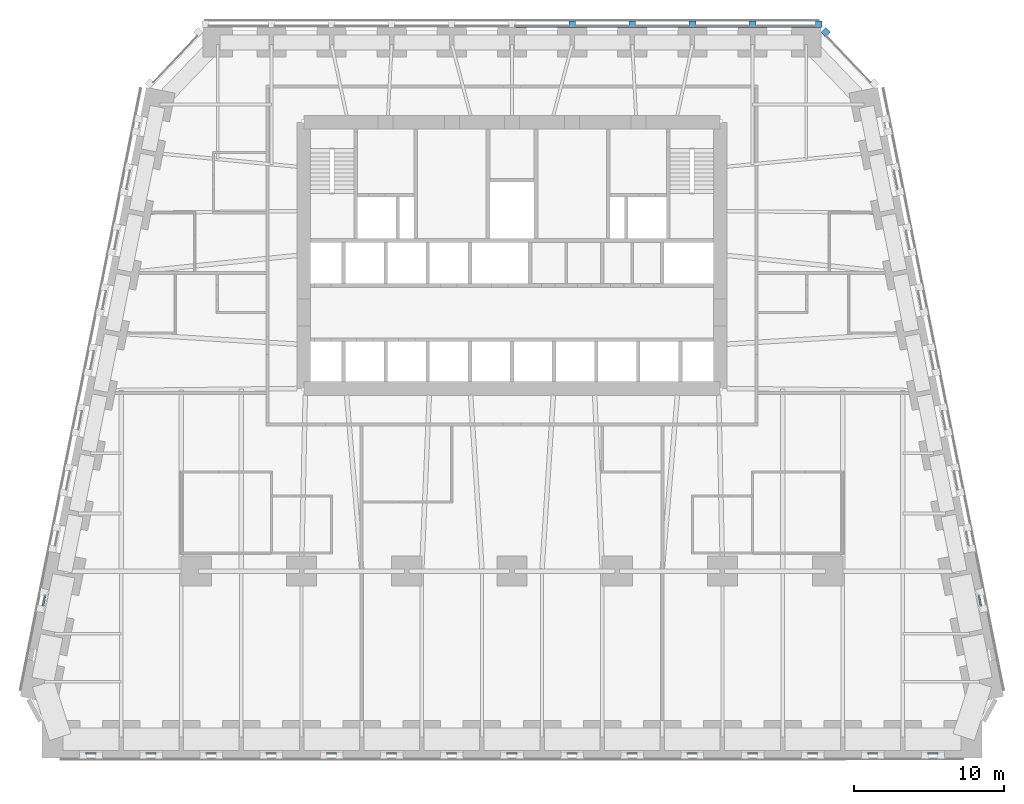
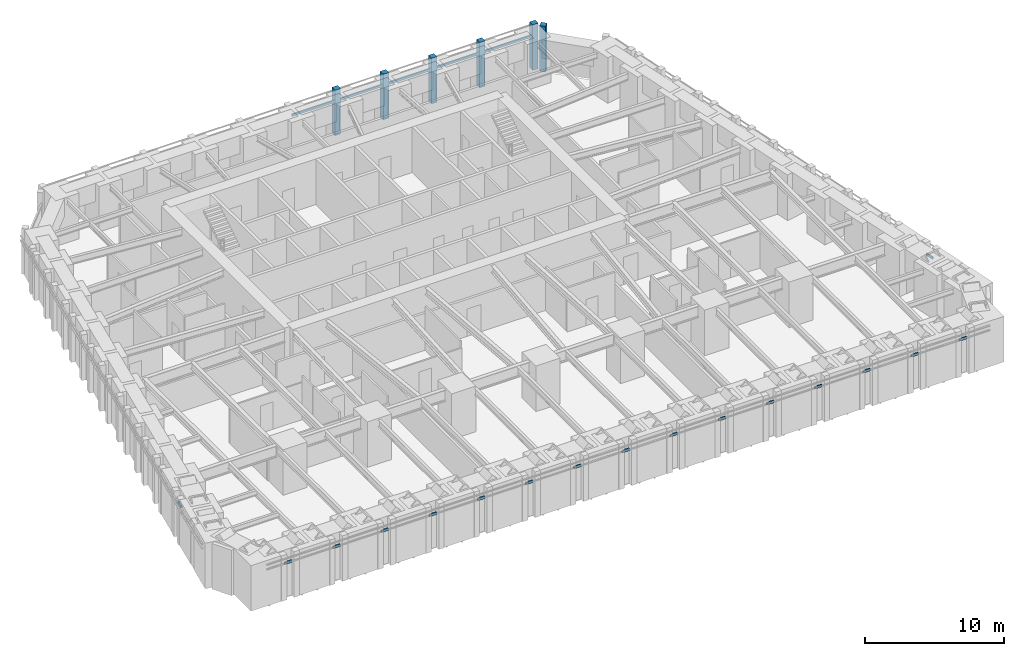
# One storey, part 5 of 16: 28 members, 19 elements without a shape of their own.
"""IFC4 building model written with IfcOpenShell, lengths in metres."""

from ifc_helpers import new_model, si_unit, direction, frame, origin, origin_2d, place, context, subcontext, project, spatial, rectangle, extrude, material, material_profile, profile_set, type_object, element, aggregate, save


model = new_model("IFC4")

# Units and contexts
model_context = context("Model", 3, precision=1e-05, world=origin(), true_north=direction((0.0, 1.0)))
body_context = subcontext(model_context, "Body", "Model", "MODEL_VIEW")
ifc_project = project(units=[si_unit("LENGTHUNIT", "METRE"), si_unit("AREAUNIT", "SQUARE_METRE"), si_unit("VOLUMEUNIT", "CUBIC_METRE"), si_unit("PLANEANGLEUNIT", "RADIAN"), si_unit("MASSUNIT", "GRAM", prefix="KILO")], contexts=[model_context])

# Site, building, storey
site_placement = place(None, origin())
site = spatial("IfcSite", under=ifc_project, at=site_placement, CompositionType="ELEMENT")
building_placement = place(site_placement, origin())
building = spatial("IfcBuilding", under=site, at=building_placement, Name="Isbrekke Arena Tower", CompositionType="ELEMENT")
storey_placement = place(building_placement, frame((0.0, 0.0, 40.0)))
storey = spatial("IfcBuildingStorey", under=building, at=storey_placement, Name="L07", CompositionType="ELEMENT", Elevation=40.0)

# Curtain wall, member
ifc_material_1 = material(Name="Glazed aluminium curtain wall", Category="aluminium")
curtain_wall_type = type_object("IfcCurtainWallType", Name="CWL TOWER CURTAIN WALL LOW ZONE", PredefinedType="USERDEFINED", material=ifc_material_1)
curtain_wall_1_placement = place(storey_placement, origin())
curtain_wall_1 = element("IfcCurtainWall", 1, at=curtain_wall_1_placement, inside=storey, type_object=curtain_wall_type, Name="CWL curtain wall L07-EN", ObjectType="TOWER CURTAIN WALL LOW ZONE", PredefinedType="USERDEFINED")
ifc_material_2 = material(Name="Aluminium mullion, pale brick slip cladding", Category="masonry")
ifc_material_profile_1 = material_profile(ifc_material_2, rectangle(XDim=0.449951171875, YDim=0.449951171875, at=origin_2d()), Name="PIER 450X450")
ifc_profile_set_1 = profile_set([ifc_material_profile_1], Name="Aluminium mullion, pale brick slip cladding")
member_type_1 = type_object("IfcMemberType", Name="CWL-M PIER MULLION 450 x 450", PredefinedType="MULLION", material=ifc_profile_set_1)
member_1_placement = place(storey_placement, frame((20.86572265625, 29.83642578125, 0.0), z_axis=(0.0, 0.0, 1.0), x_axis=(-0.68874946192, 0.72499943359, 0.0)))
member_1 = element("IfcMember", 2, at=member_1_placement, type_object=member_type_1, Name="CWL-M mullion 2", PredefinedType="MULLION", context=body_context, shape_type="SweptSolid", body=[
    extrude(rectangle(XDim=0.449951171875, YDim=0.449951171875, at=origin_2d()), origin(), (0.0, 0.0, 1.0), 4.0),
])
aggregate(curtain_wall_1, [member_1])

# Curtain wall, members
curtain_wall_2_placement = place(storey_placement, origin())
curtain_wall_2 = element("IfcCurtainWall", 3, at=curtain_wall_2_placement, inside=storey, type_object=curtain_wall_type, Name="CWL curtain wall L07-N", ObjectType="TOWER CURTAIN WALL LOW ZONE", PredefinedType="USERDEFINED")
member_2_placement = place(storey_placement, frame((20.39990234375, 30.375, 0.0), z_axis=(0.0, 0.0, 1.0), x_axis=(-1.0, 0.0, 0.0)))
member_2 = element("IfcMember", 4, at=member_2_placement, type_object=member_type_1, Name="CWL-M mullion 1", PredefinedType="MULLION", context=body_context, shape_type="SweptSolid", body=[
    extrude(rectangle(XDim=0.449951171875, YDim=0.449951171875, at=origin_2d()), origin(), (0.0, 0.0, 1.0), 4.0),
])
member_3_placement = place(storey_placement, frame((16.0, 30.375, 0.0), z_axis=(0.0, 0.0, 1.0), x_axis=(-1.0, 0.0, 0.0)))
member_3 = element("IfcMember", 5, at=member_3_placement, type_object=member_type_1, Name="CWL-M mullion 2", PredefinedType="MULLION", context=body_context, shape_type="SweptSolid", body=[
    extrude(rectangle(XDim=0.449951171875, YDim=0.449951171875, at=origin_2d()), origin(), (0.0, 0.0, 1.0), 4.0),
])
member_4_placement = place(storey_placement, frame((12.0, 30.375, 0.0), z_axis=(0.0, 0.0, 1.0), x_axis=(-1.0, 0.0, 0.0)))
member_4 = element("IfcMember", 6, at=member_4_placement, type_object=member_type_1, Name="CWL-M mullion 3", PredefinedType="MULLION", context=body_context, shape_type="SweptSolid", body=[
    extrude(rectangle(XDim=0.449951171875, YDim=0.449951171875, at=origin_2d()), origin(), (0.0, 0.0, 1.0), 4.0),
])
member_5_placement = place(storey_placement, frame((8.0, 30.375, 0.0), z_axis=(0.0, 0.0, 1.0), x_axis=(-1.0, 0.0, 0.0)))
member_5 = element("IfcMember", 7, at=member_5_placement, type_object=member_type_1, Name="CWL-M mullion 4", PredefinedType="MULLION", context=body_context, shape_type="SweptSolid", body=[
    extrude(rectangle(XDim=0.449951171875, YDim=0.449951171875, at=origin_2d()), origin(), (0.0, 0.0, 1.0), 4.0),
])
member_6_placement = place(storey_placement, frame((4.0, 30.375, 0.0), z_axis=(0.0, 0.0, 1.0), x_axis=(-1.0, 0.0, 0.0)))
member_6 = element("IfcMember", 8, at=member_6_placement, type_object=member_type_1, Name="CWL-M mullion 5", PredefinedType="MULLION", context=body_context, shape_type="SweptSolid", body=[
    extrude(rectangle(XDim=0.449951171875, YDim=0.449951171875, at=origin_2d()), origin(), (0.0, 0.0, 1.0), 4.0),
])

# Curtain wall, member
curtain_wall_3_placement = place(storey_placement, origin())
curtain_wall_3 = element("IfcCurtainWall", 9, at=curtain_wall_3_placement, inside=storey, type_object=curtain_wall_type, Name="CWL curtain wall L07-S", ObjectType="TOWER CURTAIN WALL LOW ZONE", PredefinedType="USERDEFINED")
ifc_material_3 = material(Name="Aluminium transom", Category="aluminium")
ifc_material_profile_2 = material_profile(ifc_material_3, rectangle(XDim=0.1201171875, YDim=0.199951171875, at=origin_2d()), Name="TRANSOM 120X200")
ifc_profile_set_2 = profile_set([ifc_material_profile_2], Name="Aluminium transom")
member_type_2 = type_object("IfcMemberType", Name="CWL-T TRANSOM 120 x 200", PredefinedType="USERDEFINED", material=ifc_profile_set_2)
member_7_placement = place(storey_placement, frame((-28.302001953125, -18.125, 3.0), z_axis=(1.0, 0.0, 0.0), x_axis=(0.0, 1.0, 0.0)))
member_7 = element("IfcMember", 10, at=member_7_placement, type_object=member_type_2, Name="CWL-T transom 1", ObjectType="TRANSOM", PredefinedType="USERDEFINED", context=body_context, shape_type="SweptSolid", body=[
    extrude(rectangle(XDim=0.1201171875, YDim=0.199951171875, at=origin_2d()), origin(), (0.0, 0.0, 1.0), 0.60205078125),
])
aggregate(curtain_wall_3, [member_7])

curtain_wall_4_placement = place(storey_placement, origin())
curtain_wall_4 = element("IfcCurtainWall", 11, at=curtain_wall_4_placement, inside=storey, type_object=curtain_wall_type, Name="CWL curtain wall L07-S3", ObjectType="TOWER CURTAIN WALL LOW ZONE", PredefinedType="USERDEFINED")
member_8_placement = place(storey_placement, frame((-24.300048828125, -18.125, 3.0), z_axis=(1.0, 0.0, 0.0), x_axis=(0.0, 1.0, 0.0)))
member_8 = element("IfcMember", 12, at=member_8_placement, type_object=member_type_2, Name="CWL-T transom 1", ObjectType="TRANSOM", PredefinedType="USERDEFINED", context=body_context, shape_type="SweptSolid", body=[
    extrude(rectangle(XDim=0.1201171875, YDim=0.199951171875, at=origin_2d()), origin(), (0.0, 0.0, 1.0), 0.60009765625),
])
aggregate(curtain_wall_4, [member_8])

curtain_wall_5_placement = place(storey_placement, origin())
curtain_wall_5 = element("IfcCurtainWall", 13, at=curtain_wall_5_placement, inside=storey, type_object=curtain_wall_type, Name="CWL curtain wall L07-S5", ObjectType="TOWER CURTAIN WALL LOW ZONE", PredefinedType="USERDEFINED")
member_9_placement = place(storey_placement, frame((-20.300048828125, -18.125, 3.0), z_axis=(1.0, 0.0, 0.0), x_axis=(0.0, 1.0, 0.0)))
member_9 = element("IfcMember", 14, at=member_9_placement, type_object=member_type_2, Name="CWL-T transom 1", ObjectType="TRANSOM", PredefinedType="USERDEFINED", context=body_context, shape_type="SweptSolid", body=[
    extrude(rectangle(XDim=0.1201171875, YDim=0.199951171875, at=origin_2d()), origin(), (0.0, 0.0, 1.0), 0.60009765625),
])
aggregate(curtain_wall_5, [member_9])

curtain_wall_6_placement = place(storey_placement, origin())
curtain_wall_6 = element("IfcCurtainWall", 15, at=curtain_wall_6_placement, inside=storey, type_object=curtain_wall_type, Name="CWL curtain wall L07-S7", ObjectType="TOWER CURTAIN WALL LOW ZONE", PredefinedType="USERDEFINED")
member_10_placement = place(storey_placement, frame((-16.300048828125, -18.125, 3.0), z_axis=(1.0, 0.0, 0.0), x_axis=(0.0, 1.0, 0.0)))
member_10 = element("IfcMember", 16, at=member_10_placement, type_object=member_type_2, Name="CWL-T transom 1", ObjectType="TRANSOM", PredefinedType="USERDEFINED", context=body_context, shape_type="SweptSolid", body=[
    extrude(rectangle(XDim=0.1201171875, YDim=0.199951171875, at=origin_2d()), origin(), (0.0, 0.0, 1.0), 0.60009765625),
])
aggregate(curtain_wall_6, [member_10])

curtain_wall_7_placement = place(storey_placement, origin())
curtain_wall_7 = element("IfcCurtainWall", 17, at=curtain_wall_7_placement, inside=storey, type_object=curtain_wall_type, Name="CWL curtain wall L07-S9", ObjectType="TOWER CURTAIN WALL LOW ZONE", PredefinedType="USERDEFINED")
member_11_placement = place(storey_placement, frame((-12.300048828125, -18.125, 3.0), z_axis=(1.0, 0.0, 0.0), x_axis=(0.0, 1.0, 0.0)))
member_11 = element("IfcMember", 18, at=member_11_placement, type_object=member_type_2, Name="CWL-T transom 1", ObjectType="TRANSOM", PredefinedType="USERDEFINED", context=body_context, shape_type="SweptSolid", body=[
    extrude(rectangle(XDim=0.1201171875, YDim=0.199951171875, at=origin_2d()), origin(), (0.0, 0.0, 1.0), 0.60009765625),
])
aggregate(curtain_wall_7, [member_11])

curtain_wall_8_placement = place(storey_placement, origin())
curtain_wall_8 = element("IfcCurtainWall", 19, at=curtain_wall_8_placement, inside=storey, type_object=curtain_wall_type, Name="CWL curtain wall L07-S11", ObjectType="TOWER CURTAIN WALL LOW ZONE", PredefinedType="USERDEFINED")
member_12_placement = place(storey_placement, frame((-8.300048828125, -18.125, 3.0), z_axis=(1.0, 0.0, 0.0), x_axis=(0.0, 1.0, 0.0)))
member_12 = element("IfcMember", 20, at=member_12_placement, type_object=member_type_2, Name="CWL-T transom 1", ObjectType="TRANSOM", PredefinedType="USERDEFINED", context=body_context, shape_type="SweptSolid", body=[
    extrude(rectangle(XDim=0.1201171875, YDim=0.199951171875, at=origin_2d()), origin(), (0.0, 0.0, 1.0), 0.60009765625),
])
aggregate(curtain_wall_8, [member_12])

curtain_wall_9_placement = place(storey_placement, origin())
curtain_wall_9 = element("IfcCurtainWall", 21, at=curtain_wall_9_placement, inside=storey, type_object=curtain_wall_type, Name="CWL curtain wall L07-S13", ObjectType="TOWER CURTAIN WALL LOW ZONE", PredefinedType="USERDEFINED")
member_13_placement = place(storey_placement, frame((-4.300048828125, -18.125, 3.0), z_axis=(1.0, 0.0, 0.0), x_axis=(0.0, 1.0, 0.0)))
member_13 = element("IfcMember", 22, at=member_13_placement, type_object=member_type_2, Name="CWL-T transom 1", ObjectType="TRANSOM", PredefinedType="USERDEFINED", context=body_context, shape_type="SweptSolid", body=[
    extrude(rectangle(XDim=0.1201171875, YDim=0.199951171875, at=origin_2d()), origin(), (0.0, 0.0, 1.0), 0.60009765625),
])
aggregate(curtain_wall_9, [member_13])

curtain_wall_10_placement = place(storey_placement, origin())
curtain_wall_10 = element("IfcCurtainWall", 23, at=curtain_wall_10_placement, inside=storey, type_object=curtain_wall_type, Name="CWL curtain wall L07-S15", ObjectType="TOWER CURTAIN WALL LOW ZONE", PredefinedType="USERDEFINED")
member_14_placement = place(storey_placement, frame((-0.300048828125, -18.125, 3.0), z_axis=(1.0, 0.0, 0.0), x_axis=(0.0, 1.0, 0.0)))
member_14 = element("IfcMember", 24, at=member_14_placement, type_object=member_type_2, Name="CWL-T transom 1", ObjectType="TRANSOM", PredefinedType="USERDEFINED", context=body_context, shape_type="SweptSolid", body=[
    extrude(rectangle(XDim=0.1201171875, YDim=0.199951171875, at=origin_2d()), origin(), (0.0, 0.0, 1.0), 0.60009765625),
])
aggregate(curtain_wall_10, [member_14])

curtain_wall_11_placement = place(storey_placement, origin())
curtain_wall_11 = element("IfcCurtainWall", 25, at=curtain_wall_11_placement, inside=storey, type_object=curtain_wall_type, Name="CWL curtain wall L07-S17", ObjectType="TOWER CURTAIN WALL LOW ZONE", PredefinedType="USERDEFINED")
member_15_placement = place(storey_placement, frame((3.699951171875, -18.125, 3.0), z_axis=(1.0, 0.0, 0.0), x_axis=(0.0, 1.0, 0.0)))
member_15 = element("IfcMember", 26, at=member_15_placement, type_object=member_type_2, Name="CWL-T transom 1", ObjectType="TRANSOM", PredefinedType="USERDEFINED", context=body_context, shape_type="SweptSolid", body=[
    extrude(rectangle(XDim=0.1201171875, YDim=0.199951171875, at=origin_2d()), origin(), (0.0, 0.0, 1.0), 0.60009765625),
])
aggregate(curtain_wall_11, [member_15])

curtain_wall_12_placement = place(storey_placement, origin())
curtain_wall_12 = element("IfcCurtainWall", 27, at=curtain_wall_12_placement, inside=storey, type_object=curtain_wall_type, Name="CWL curtain wall L07-S19", ObjectType="TOWER CURTAIN WALL LOW ZONE", PredefinedType="USERDEFINED")
member_16_placement = place(storey_placement, frame((7.699951171875, -18.125, 3.0), z_axis=(1.0, 0.0, 0.0), x_axis=(0.0, 1.0, 0.0)))
member_16 = element("IfcMember", 28, at=member_16_placement, type_object=member_type_2, Name="CWL-T transom 1", ObjectType="TRANSOM", PredefinedType="USERDEFINED", context=body_context, shape_type="SweptSolid", body=[
    extrude(rectangle(XDim=0.1201171875, YDim=0.199951171875, at=origin_2d()), origin(), (0.0, 0.0, 1.0), 0.60009765625),
])
aggregate(curtain_wall_12, [member_16])

curtain_wall_13_placement = place(storey_placement, origin())
curtain_wall_13 = element("IfcCurtainWall", 29, at=curtain_wall_13_placement, inside=storey, type_object=curtain_wall_type, Name="CWL curtain wall L07-S21", ObjectType="TOWER CURTAIN WALL LOW ZONE", PredefinedType="USERDEFINED")
member_17_placement = place(storey_placement, frame((11.699951171875, -18.125, 3.0), z_axis=(1.0, 0.0, 0.0), x_axis=(0.0, 1.0, 0.0)))
member_17 = element("IfcMember", 30, at=member_17_placement, type_object=member_type_2, Name="CWL-T transom 1", ObjectType="TRANSOM", PredefinedType="USERDEFINED", context=body_context, shape_type="SweptSolid", body=[
    extrude(rectangle(XDim=0.1201171875, YDim=0.199951171875, at=origin_2d()), origin(), (0.0, 0.0, 1.0), 0.60009765625),
])
aggregate(curtain_wall_13, [member_17])

curtain_wall_14_placement = place(storey_placement, origin())
curtain_wall_14 = element("IfcCurtainWall", 31, at=curtain_wall_14_placement, inside=storey, type_object=curtain_wall_type, Name="CWL curtain wall L07-S23", ObjectType="TOWER CURTAIN WALL LOW ZONE", PredefinedType="USERDEFINED")
member_18_placement = place(storey_placement, frame((15.699951171875, -18.125, 3.0), z_axis=(1.0, 0.0, 0.0), x_axis=(0.0, 1.0, 0.0)))
member_18 = element("IfcMember", 32, at=member_18_placement, type_object=member_type_2, Name="CWL-T transom 1", ObjectType="TRANSOM", PredefinedType="USERDEFINED", context=body_context, shape_type="SweptSolid", body=[
    extrude(rectangle(XDim=0.1201171875, YDim=0.199951171875, at=origin_2d()), origin(), (0.0, 0.0, 1.0), 0.60009765625),
])
aggregate(curtain_wall_14, [member_18])

curtain_wall_15_placement = place(storey_placement, origin())
curtain_wall_15 = element("IfcCurtainWall", 33, at=curtain_wall_15_placement, inside=storey, type_object=curtain_wall_type, Name="CWL curtain wall L07-S25", ObjectType="TOWER CURTAIN WALL LOW ZONE", PredefinedType="USERDEFINED")
member_19_placement = place(storey_placement, frame((19.699951171875, -18.125, 3.0), z_axis=(1.0, 0.0, 0.0), x_axis=(0.0, 1.0, 0.0)))
member_19 = element("IfcMember", 34, at=member_19_placement, type_object=member_type_2, Name="CWL-T transom 1", ObjectType="TRANSOM", PredefinedType="USERDEFINED", context=body_context, shape_type="SweptSolid", body=[
    extrude(rectangle(XDim=0.1201171875, YDim=0.199951171875, at=origin_2d()), origin(), (0.0, 0.0, 1.0), 0.60009765625),
])
aggregate(curtain_wall_15, [member_19])

curtain_wall_16_placement = place(storey_placement, origin())
curtain_wall_16 = element("IfcCurtainWall", 35, at=curtain_wall_16_placement, inside=storey, type_object=curtain_wall_type, Name="CWL curtain wall L07-S27", ObjectType="TOWER CURTAIN WALL LOW ZONE", PredefinedType="USERDEFINED")
member_20_placement = place(storey_placement, frame((23.699951171875, -18.125, 3.0), z_axis=(1.0, 0.0, 0.0), x_axis=(0.0, 1.0, 0.0)))
member_20 = element("IfcMember", 36, at=member_20_placement, type_object=member_type_2, Name="CWL-T transom 1", ObjectType="TRANSOM", PredefinedType="USERDEFINED", context=body_context, shape_type="SweptSolid", body=[
    extrude(rectangle(XDim=0.1201171875, YDim=0.199951171875, at=origin_2d()), origin(), (0.0, 0.0, 1.0), 0.60009765625),
])
aggregate(curtain_wall_16, [member_20])

curtain_wall_17_placement = place(storey_placement, origin())
curtain_wall_17 = element("IfcCurtainWall", 37, at=curtain_wall_17_placement, inside=storey, type_object=curtain_wall_type, Name="CWL curtain wall L07-S29", ObjectType="TOWER CURTAIN WALL LOW ZONE", PredefinedType="USERDEFINED")
member_21_placement = place(storey_placement, frame((27.699951171875, -18.125, 3.0), z_axis=(1.0, 0.0, 0.0), x_axis=(0.0, 1.0, 0.0)))
member_21 = element("IfcMember", 38, at=member_21_placement, type_object=member_type_2, Name="CWL-T transom 1", ObjectType="TRANSOM", PredefinedType="USERDEFINED", context=body_context, shape_type="SweptSolid", body=[
    extrude(rectangle(XDim=0.1201171875, YDim=0.199951171875, at=origin_2d()), origin(), (0.0, 0.0, 1.0), 0.60205078125),
])
aggregate(curtain_wall_17, [member_21])

curtain_wall_18_placement = place(storey_placement, origin())
curtain_wall_18 = element("IfcCurtainWall", 39, at=curtain_wall_18_placement, inside=storey, type_object=curtain_wall_type, Name="CWL curtain wall L07-E3", ObjectType="TOWER CURTAIN WALL LOW ZONE", PredefinedType="USERDEFINED")
member_22_placement = place(storey_placement, frame((31.189208984375, -8.30859375, 3.0), z_axis=(-0.196254379441, 0.980553016695, 0.0), x_axis=(-0.980553016695, -0.196254379441, 0.0)))
member_22 = element("IfcMember", 40, at=member_22_placement, type_object=member_type_2, Name="CWL-T transom 1", ObjectType="TRANSOM", PredefinedType="USERDEFINED", context=body_context, shape_type="SweptSolid", body=[
    extrude(rectangle(XDim=0.1201171875, YDim=0.199951171875, at=origin_2d()), origin(), (0.0, 0.0, 1.0), 0.67919921875),
])
aggregate(curtain_wall_18, [member_22])

# Member
member_23_placement = place(storey_placement, frame((20.175048828125, 30.25, 3.0), z_axis=(-1.0, 0.0, 0.0), x_axis=(0.0, -1.0, 0.0)))
member_23 = element("IfcMember", 41, at=member_23_placement, type_object=member_type_2, Name="CWL-T transom 1", ObjectType="TRANSOM", PredefinedType="USERDEFINED", context=body_context, shape_type="SweptSolid", body=[
    extrude(rectangle(XDim=0.1201171875, YDim=0.199951171875, at=origin_2d()), origin(), (0.0, 0.0, 1.0), 3.949951171875),
])

member_24_placement = place(storey_placement, frame((15.77490234375, 30.25, 3.0), z_axis=(-1.0, 0.0, 0.0), x_axis=(0.0, -1.0, 0.0)))
member_24 = element("IfcMember", 42, at=member_24_placement, type_object=member_type_2, Name="CWL-T transom 2", ObjectType="TRANSOM", PredefinedType="USERDEFINED", context=body_context, shape_type="SweptSolid", body=[
    extrude(rectangle(XDim=0.1201171875, YDim=0.199951171875, at=origin_2d()), origin(), (0.0, 0.0, 1.0), 3.5498046875),
])

member_25_placement = place(storey_placement, frame((11.77490234375, 30.25, 3.0), z_axis=(-1.0, 0.0, 0.0), x_axis=(0.0, -1.0, 0.0)))
member_25 = element("IfcMember", 43, at=member_25_placement, type_object=member_type_2, Name="CWL-T transom 3", ObjectType="TRANSOM", PredefinedType="USERDEFINED", context=body_context, shape_type="SweptSolid", body=[
    extrude(rectangle(XDim=0.1201171875, YDim=0.199951171875, at=origin_2d()), origin(), (0.0, 0.0, 1.0), 3.5498046875),
])

member_26_placement = place(storey_placement, frame((7.77490234375, 30.25, 3.0), z_axis=(-1.0, 0.0, 0.0), x_axis=(0.0, -1.0, 0.0)))
member_26 = element("IfcMember", 44, at=member_26_placement, type_object=member_type_2, Name="CWL-T transom 4", ObjectType="TRANSOM", PredefinedType="USERDEFINED", context=body_context, shape_type="SweptSolid", body=[
    extrude(rectangle(XDim=0.1201171875, YDim=0.199951171875, at=origin_2d()), origin(), (0.0, 0.0, 1.0), 3.5498046875),
])

member_27_placement = place(storey_placement, frame((3.77490234375, 30.25, 3.0), z_axis=(-1.0, 0.0, 0.0), x_axis=(0.0, -1.0, 0.0)))
member_27 = element("IfcMember", 45, at=member_27_placement, type_object=member_type_2, Name="CWL-T transom 5", ObjectType="TRANSOM", PredefinedType="USERDEFINED", context=body_context, shape_type="SweptSolid", body=[
    extrude(rectangle(XDim=0.1201171875, YDim=0.199951171875, at=origin_2d()), origin(), (0.0, 0.0, 1.0), 3.5498046875),
])

aggregate(curtain_wall_2, [member_2, member_3, member_4, member_5, member_6, member_23, member_24, member_25, member_26, member_27])

# Curtain wall, member
curtain_wall_19_placement = place(storey_placement, origin())
curtain_wall_19 = element("IfcCurtainWall", 46, at=curtain_wall_19_placement, inside=storey, type_object=curtain_wall_type, Name="CWL curtain wall L07-W17", ObjectType="TOWER CURTAIN WALL LOW ZONE", PredefinedType="USERDEFINED")
member_28_placement = place(storey_placement, frame((-31.055908203125, -7.642578125, 3.0), z_axis=(-0.196254379441, -0.980553016695, 0.0), x_axis=(0.980553016695, -0.196254379441, 0.0)))
member_28 = element("IfcMember", 47, at=member_28_placement, type_object=member_type_2, Name="CWL-T transom 1", ObjectType="TRANSOM", PredefinedType="USERDEFINED", context=body_context, shape_type="SweptSolid", body=[
    extrude(rectangle(XDim=0.1201171875, YDim=0.199951171875, at=origin_2d()), origin(), (0.0, 0.0, 1.0), 0.67919921875),
])
aggregate(curtain_wall_19, [member_28])

save(model, "model.ifc")
